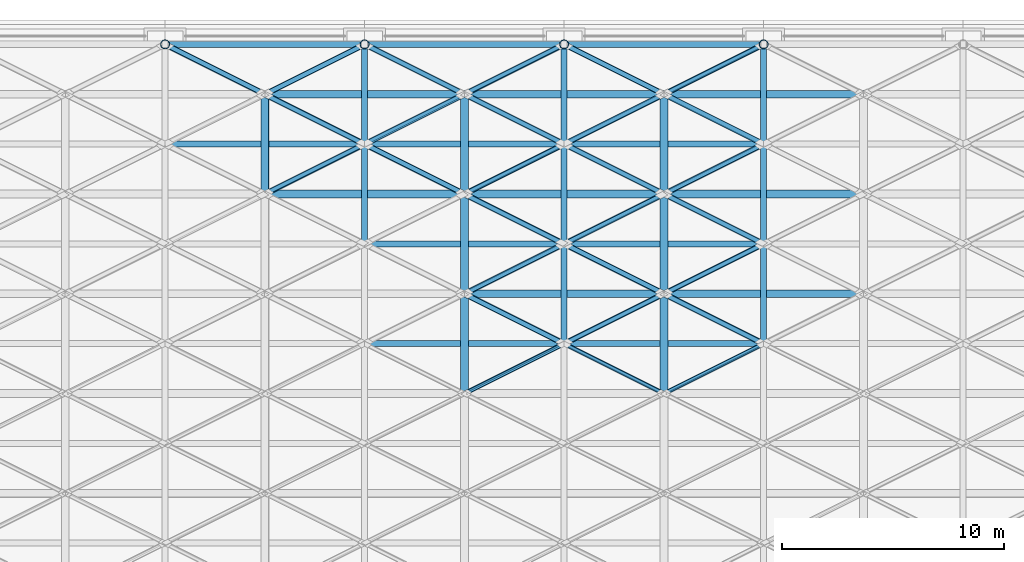
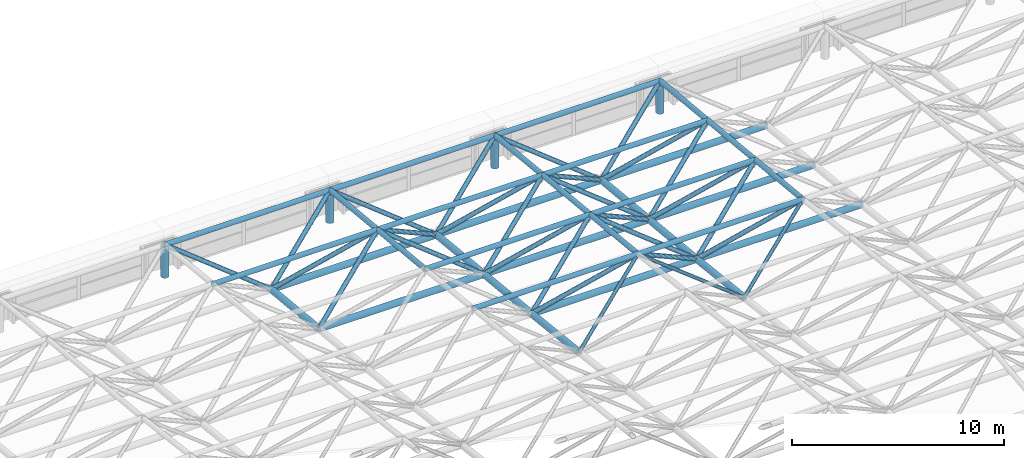
# One storey, part 11 of 53: 65 members.
"""IFC4 building model written with IfcOpenShell, lengths in metres."""

from ifc_helpers import new_model, si_unit, direction, frame, origin, origin_2d, place, context, subcontext, project, spatial, hollow_circle, extrude, material, material_profile, profile_set, type_object, element, save


model = new_model("IFC4")

# Units and contexts
model_context = context("Model", 3, precision=1e-05, world=origin(), true_north=direction((0.0, 1.0)))
body_context = subcontext(model_context, "Body", "Model", "MODEL_VIEW")
ifc_project = project(units=[si_unit("LENGTHUNIT", "METRE"), si_unit("AREAUNIT", "SQUARE_METRE"), si_unit("VOLUMEUNIT", "CUBIC_METRE"), si_unit("PLANEANGLEUNIT", "RADIAN"), si_unit("MASSUNIT", "GRAM", prefix="KILO")], contexts=[model_context])

# Site, building, storey
site_placement = place(None, origin())
site = spatial("IfcSite", under=ifc_project, at=site_placement, CompositionType="ELEMENT")
building_placement = place(site_placement, origin())
building = spatial("IfcBuilding", under=site, at=building_placement, Name="Aravalli Gate Trade Fair Centre", CompositionType="ELEMENT")
storey_placement = place(building_placement, frame((0.0, 0.0, 25.199951171875)))
storey = spatial("IfcBuildingStorey", under=building, at=storey_placement, Name="ROOF LEVEL 2", CompositionType="ELEMENT", Elevation=25.199951171875)

# Members
ifc_material = material(Name="Steel E350", Category="steel")
ifc_material_profile_1 = material_profile(ifc_material, hollow_circle(Radius=0.096923828125, WallThickness=0.00634765625, at=origin_2d()), Name="CHS 193.7x6.3")
ifc_profile_set_1 = profile_set([ifc_material_profile_1], Name="Steel E350")
member_type_1 = type_object("IfcMemberType", Name="CHS 193.7x6.3", PredefinedType="BRACE", material=ifc_profile_set_1)
for number, where, z_axis, x_axis, name in (
    (1, (60.0, 95.5, 3.150146484375), (0.786469857322, -0.393234928661, -0.476268258867), (0.4472135955, 0.894427191, 0.0), "Space frame web diagonal D5C"),
    (2, (60.0, 95.5, 3.150146484375), (-0.786469857322, -0.393234928661, -0.476268258867), (0.4472135955, -0.894427191, 0.0), "Space frame web diagonal D5D"),
    (3, (69.0, 95.5, 3.150146484375), (-0.786469857322, -0.393234928661, -0.476268258867), (0.4472135955, -0.894427191, 0.0), "Space frame web diagonal D5D"),
):
    element("IfcMember", number, at=place(storey_placement, frame(where, z_axis=z_axis, x_axis=x_axis)), inside=storey, type_object=member_type_1, Name=name, PredefinedType="BRACE", context=body_context, shape_type="SweptSolid", body=[
        extrude(hollow_circle(Radius=0.096923828125, WallThickness=0.00634765625, at=origin_2d()), origin(), (0.0, 0.0, 1.0), 5.7216796875),
    ])
ifc_material_profile_2 = material_profile(ifc_material, hollow_circle(Radius=0.122314453125, WallThickness=0.008056640625, at=origin_2d()), Name="CHS 244.5x8")
ifc_profile_set_2 = profile_set([ifc_material_profile_2], Name="Steel E350")
member_type_2 = type_object("IfcMemberType", Name="CHS 244.5x8", PredefinedType="BRACE", material=ifc_profile_set_2)
for number, where, z_axis, x_axis, name in (
    (4, (60.0, 95.5, 3.150146484375), (0.752999619823, 0.376499809912, -0.539666068678), (-0.4472135955, 0.894427191, 0.0), "Space frame web diagonal D6A"),
    (5, (60.0, 100.0, 2.699951171875), (0.753016221047, 0.376508110523, -0.539637112837), (-0.4472135955, 0.894427191, 0.0), "Space frame web diagonal D6A"),
    (6, (51.0, 104.5, 2.25), (0.753016221047, 0.376508110523, -0.539637112837), (-0.4472135955, 0.894427191, 0.0), "Space frame web diagonal D6A"),
    (7, (60.0, 104.5, 2.25), (0.753016221047, 0.376508110523, -0.539637112837), (-0.4472135955, 0.894427191, 0.0), "Space frame web diagonal D6A"),
    (8, (60.0, 95.5, 3.150146484375), (-0.752999619823, 0.376499809912, -0.539666068678), (-0.4472135955, -0.894427191, 0.0), "Space frame web diagonal D6B"),
    (9, (69.0, 95.5, 3.150146484375), (-0.752999619823, 0.376499809912, -0.539666068678), (-0.4472135955, -0.894427191, 0.0), "Space frame web diagonal D6B"),
    (10, (60.0, 100.0, 2.699951171875), (-0.753016221047, 0.376508110523, -0.539637112837), (-0.4472135955, -0.894427191, 0.0), "Space frame web diagonal D6B"),
    (11, (69.0, 100.0, 2.699951171875), (-0.753016221047, 0.376508110523, -0.539637112837), (-0.4472135955, -0.894427191, 0.0), "Space frame web diagonal D6B"),
    (12, (51.0, 104.5, 2.25), (-0.753016221047, 0.376508110523, -0.539637112837), (-0.4472135955, -0.894427191, 0.0), "Space frame web diagonal D6B"),
    (13, (60.0, 104.5, 2.25), (-0.753016221047, 0.376508110523, -0.539637112837), (-0.4472135955, -0.894427191, 0.0), "Space frame web diagonal D6B"),
    (14, (69.0, 104.5, 2.25), (-0.753016221047, 0.376508110523, -0.539637112837), (-0.4472135955, -0.894427191, 0.0), "Space frame web diagonal D6B"),
):
    element("IfcMember", number, at=place(storey_placement, frame(where, z_axis=z_axis, x_axis=x_axis)), inside=storey, type_object=member_type_2, Name=name, PredefinedType="BRACE", context=body_context, shape_type="SweptSolid", body=[
        extrude(hollow_circle(Radius=0.122314453125, WallThickness=0.008056640625, at=origin_2d()), origin(), (0.0, 0.0, 1.0), 5.97607421875),
    ])
for number, where, z_axis, x_axis, name in (
    (15, (60.0, 100.0, 2.699951171875), (0.783200147531, -0.391600073766, -0.48295642778), (0.4472135955, 0.894427191, 0.0), "Space frame web diagonal D6C"),
    (16, (51.0, 104.5, 2.25), (0.783200147531, -0.391600073766, -0.48295642778), (0.4472135955, 0.894427191, 0.0), "Space frame web diagonal D6C"),
    (17, (60.0, 104.5, 2.25), (0.783200147531, -0.391600073766, -0.48295642778), (0.4472135955, 0.894427191, 0.0), "Space frame web diagonal D6C"),
    (18, (42.0, 109.0, 1.800048828125), (0.783200147531, -0.391600073766, -0.48295642778), (0.4472135955, 0.894427191, 0.0), "Space frame web diagonal D6C"),
    (19, (51.0, 109.0, 1.800048828125), (0.783200147531, -0.391600073766, -0.48295642778), (0.4472135955, 0.894427191, 0.0), "Space frame web diagonal D6C"),
    (20, (60.0, 109.0, 1.800048828125), (0.783200147531, -0.391600073766, -0.48295642778), (0.4472135955, 0.894427191, 0.0), "Space frame web diagonal D6C"),
    (21, (60.0, 100.0, 2.699951171875), (-0.783200147531, -0.391600073766, -0.48295642778), (0.4472135955, -0.894427191, 0.0), "Space frame web diagonal D6D"),
    (22, (69.0, 100.0, 2.699951171875), (-0.783200147531, -0.391600073766, -0.48295642778), (0.4472135955, -0.894427191, 0.0), "Space frame web diagonal D6D"),
    (23, (51.0, 104.5, 2.25), (-0.783200147531, -0.391600073766, -0.48295642778), (0.4472135955, -0.894427191, 0.0), "Space frame web diagonal D6D"),
    (24, (60.0, 104.5, 2.25), (-0.783200147531, -0.391600073766, -0.48295642778), (0.4472135955, -0.894427191, 0.0), "Space frame web diagonal D6D"),
    (25, (69.0, 104.5, 2.25), (-0.783200147531, -0.391600073766, -0.48295642778), (0.4472135955, -0.894427191, 0.0), "Space frame web diagonal D6D"),
    (26, (51.0, 109.0, 1.800048828125), (-0.783200147531, -0.391600073766, -0.48295642778), (0.4472135955, -0.894427191, 0.0), "Space frame web diagonal D6D"),
    (27, (60.0, 109.0, 1.800048828125), (-0.783200147531, -0.391600073766, -0.48295642778), (0.4472135955, -0.894427191, 0.0), "Space frame web diagonal D6D"),
    (28, (69.0, 109.0, 1.800048828125), (-0.783200147531, -0.391600073766, -0.48295642778), (0.4472135955, -0.894427191, 0.0), "Space frame web diagonal D6D"),
):
    element("IfcMember", number, at=place(storey_placement, frame(where, z_axis=z_axis, x_axis=x_axis)), inside=storey, type_object=member_type_2, Name=name, PredefinedType="BRACE", context=body_context, shape_type="SweptSolid", body=[
        extrude(hollow_circle(Radius=0.122314453125, WallThickness=0.008056640625, at=origin_2d()), origin(), (0.0, 0.0, 1.0), 5.74560546875),
    ])
ifc_material_profile_3 = material_profile(ifc_material, hollow_circle(Radius=0.136474609375, WallThickness=0.010009765625, at=origin_2d()), Name="CHS 273.1x10")
ifc_profile_set_3 = profile_set([ifc_material_profile_3], Name="Steel E350")
member_type_3 = type_object("IfcMemberType", Name="CHS 273.1x10", PredefinedType="CHORD", material=ifc_profile_set_3)
for number, where, z_axis, x_axis, name in (
    (29, (51.0, 95.5, 3.150146484375), (1.0, 0.0, 0.0), (0.0, 1.0, 0.0), "Space frame top chord along the lines T6"),
    (30, (60.0, 95.5, 3.150146484375), (1.0, 0.0, 0.0), (0.0, 1.0, 0.0), "Space frame top chord along the lines T6"),
    (31, (51.0, 100.0, 2.699951171875), (1.0, 0.0, 0.0), (0.0, 1.0, 0.0), "Space frame top chord along the lines T7"),
    (32, (60.0, 100.0, 2.699951171875), (1.0, 0.0, 0.0), (0.0, 1.0, 0.0), "Space frame top chord along the lines T7"),
    (33, (42.0, 104.5, 2.25), (1.0, 0.0, 0.0), (0.0, 1.0, 0.0), "Space frame top chord along the lines T7"),
    (34, (51.0, 104.5, 2.25), (1.0, 0.0, 0.0), (0.0, 1.0, 0.0), "Space frame top chord along the lines T7"),
    (35, (60.0, 104.5, 2.25), (1.0, 0.0, 0.0), (0.0, 1.0, 0.0), "Space frame top chord along the lines T7"),
):
    element("IfcMember", number, at=place(storey_placement, frame(where, z_axis=z_axis, x_axis=x_axis)), inside=storey, type_object=member_type_3, Name=name, PredefinedType="CHORD", context=body_context, shape_type="SweptSolid", body=[
        extrude(hollow_circle(Radius=0.136474609375, WallThickness=0.010009765625, at=origin_2d()), origin(), (0.0, 0.0, 1.0), 9.0),
    ])
for number, where, z_axis, x_axis, name in (
    (36, (51.0, 100.0, 2.699951171875), (0.0, 0.995038259148, -0.099493029059), (-1.0, 0.0, 0.0), "Space frame top chord across the vault Y6"),
    (37, (51.0, 104.5, 2.25), (0.0, 0.995038259148, -0.099493029059), (-1.0, 0.0, 0.0), "Space frame top chord across the vault Y6"),
    (38, (60.0, 95.5, 3.150146484375), (0.0, 0.995032913332, -0.099546478526), (-1.0, 0.0, 0.0), "Space frame top chord across the vault Y6"),
    (39, (60.0, 100.0, 2.699951171875), (0.0, 0.995038259148, -0.099493029059), (-1.0, 0.0, 0.0), "Space frame top chord across the vault Y6"),
    (40, (60.0, 104.5, 2.25), (0.0, 0.995038259148, -0.099493029059), (-1.0, 0.0, 0.0), "Space frame top chord across the vault Y6"),
    (41, (69.0, 95.5, 3.150146484375), (0.0, 0.995032913332, -0.099546478526), (-1.0, 0.0, 0.0), "Space frame top chord across the vault Y6"),
    (42, (69.0, 100.0, 2.699951171875), (0.0, 0.995038259148, -0.099493029059), (-1.0, 0.0, 0.0), "Space frame top chord across the vault Y6"),
    (43, (69.0, 104.5, 2.25), (0.0, 0.995038259148, -0.099493029059), (-1.0, 0.0, 0.0), "Space frame top chord across the vault Y6"),
):
    element("IfcMember", number, at=place(storey_placement, frame(where, z_axis=z_axis, x_axis=x_axis)), inside=storey, type_object=member_type_3, Name=name, PredefinedType="CHORD", context=body_context, shape_type="SweptSolid", body=[
        extrude(hollow_circle(Radius=0.136474609375, WallThickness=0.010009765625, at=origin_2d()), origin(), (0.0, 0.0, 1.0), 4.5224609375),
    ])
ifc_material_profile_4 = material_profile(ifc_material, hollow_circle(Radius=0.136474609375, WallThickness=0.01611328125, at=origin_2d()), Name="CHS 273.1x16")
ifc_profile_set_4 = profile_set([ifc_material_profile_4], Name="Steel E350")
member_type_4 = type_object("IfcMemberType", Name="CHS 273.1x16", PredefinedType="CHORD", material=ifc_profile_set_4)
for number, where, z_axis, x_axis, name in (
    (44, (42.0, 109.0, 1.800048828125), (1.0, 0.0, 0.0), (0.0, 1.0, 0.0), "Space frame top chord along the lines TE2"),
    (45, (51.0, 109.0, 1.800048828125), (1.0, 0.0, 0.0), (0.0, 1.0, 0.0), "Space frame top chord along the lines TE2"),
    (46, (60.0, 109.0, 1.800048828125), (1.0, 0.0, 0.0), (0.0, 1.0, 0.0), "Space frame top chord along the lines TE2"),
):
    element("IfcMember", number, at=place(storey_placement, frame(where, z_axis=z_axis, x_axis=x_axis)), inside=storey, type_object=member_type_4, Name=name, PredefinedType="CHORD", context=body_context, shape_type="SweptSolid", body=[
        extrude(hollow_circle(Radius=0.136474609375, WallThickness=0.01611328125, at=origin_2d()), origin(), (0.0, 0.0, 1.0), 9.0),
    ])
ifc_material_profile_5 = material_profile(ifc_material, hollow_circle(Radius=0.177734375, WallThickness=0.010009765625, at=origin_2d()), Name="CHS 355.6x10")
ifc_profile_set_5 = profile_set([ifc_material_profile_5], Name="Steel E350")
member_type_5 = type_object("IfcMemberType", Name="CHS 355.6x10", PredefinedType="CHORD", material=ifc_profile_set_5)
for number, where, z_axis, x_axis, name in (
    (47, (55.5, 97.75, -0.074951171875), (1.0, 0.0, 0.0), (0.0, 1.0, 0.0), "Space frame bottom chord along the lines B6"),
    (48, (64.5, 97.75, -0.074951171875), (1.0, 0.0, 0.0), (0.0, 1.0, 0.0), "Space frame bottom chord along the lines B6"),
    (49, (46.5, 102.25, -0.52490234375), (1.0, 0.0, 0.0), (0.0, 1.0, 0.0), "Space frame bottom chord along the lines B6"),
    (50, (55.5, 102.25, -0.52490234375), (1.0, 0.0, 0.0), (0.0, 1.0, 0.0), "Space frame bottom chord along the lines B6"),
    (51, (64.5, 102.25, -0.52490234375), (1.0, 0.0, 0.0), (0.0, 1.0, 0.0), "Space frame bottom chord along the lines B6"),
):
    element("IfcMember", number, at=place(storey_placement, frame(where, z_axis=z_axis, x_axis=x_axis)), inside=storey, type_object=member_type_5, Name=name, PredefinedType="CHORD", context=body_context, shape_type="SweptSolid", body=[
        extrude(hollow_circle(Radius=0.177734375, WallThickness=0.010009765625, at=origin_2d()), origin(), (0.0, 0.0, 1.0), 9.0),
    ])
for number, where, z_axis, x_axis, name in (
    (52, (55.5, 93.25, 0.425048828125), (0.0, 0.993883734674, -0.110431526075), (-1.0, 0.0, 0.0), "Space frame bottom chord across the vault C10"),
    (53, (64.5, 93.25, 0.425048828125), (0.0, 0.993883734674, -0.110431526075), (-1.0, 0.0, 0.0), "Space frame bottom chord across the vault C10"),
):
    element("IfcMember", number, at=place(storey_placement, frame(where, z_axis=z_axis, x_axis=x_axis)), inside=storey, type_object=member_type_5, Name=name, PredefinedType="CHORD", context=body_context, shape_type="SweptSolid", body=[
        extrude(hollow_circle(Radius=0.177734375, WallThickness=0.010009765625, at=origin_2d()), origin(), (0.0, 0.0, 1.0), 4.527587890625),
    ])
for number, where, z_axis, x_axis, name in (
    (54, (46.5, 102.25, -0.52490234375), (0.0, 0.995038259148, -0.099493029059), (-1.0, 0.0, 0.0), "Space frame bottom chord across the vault C11"),
    (55, (55.5, 97.75, -0.074951171875), (0.0, 0.995038259148, -0.099493029059), (-1.0, 0.0, 0.0), "Space frame bottom chord across the vault C11"),
    (56, (55.5, 102.25, -0.52490234375), (0.0, 0.995038259148, -0.099493029059), (-1.0, 0.0, 0.0), "Space frame bottom chord across the vault C11"),
    (57, (64.5, 97.75, -0.074951171875), (0.0, 0.995038259148, -0.099493029059), (-1.0, 0.0, 0.0), "Space frame bottom chord across the vault C11"),
    (58, (64.5, 102.25, -0.52490234375), (0.0, 0.995038259148, -0.099493029059), (-1.0, 0.0, 0.0), "Space frame bottom chord across the vault C11"),
):
    element("IfcMember", number, at=place(storey_placement, frame(where, z_axis=z_axis, x_axis=x_axis)), inside=storey, type_object=member_type_5, Name=name, PredefinedType="CHORD", context=body_context, shape_type="SweptSolid", body=[
        extrude(hollow_circle(Radius=0.177734375, WallThickness=0.010009765625, at=origin_2d()), origin(), (0.0, 0.0, 1.0), 4.5224609375),
    ])
ifc_material_profile_6 = material_profile(ifc_material, hollow_circle(Radius=0.177734375, WallThickness=0.01611328125, at=origin_2d()), Name="CHS 355.6x16")
ifc_profile_set_6 = profile_set([ifc_material_profile_6], Name="Steel E350")
member_type_6 = type_object("IfcMemberType", Name="CHS 355.6x16", PredefinedType="CHORD", material=ifc_profile_set_6)
for number, where, z_axis, x_axis, name in (
    (59, (46.5, 106.75, -0.974853515625), (1.0, 0.0, 0.0), (0.0, 1.0, 0.0), "Space frame bottom chord along the lines BE2"),
    (60, (55.5, 106.75, -0.974853515625), (1.0, 0.0, 0.0), (0.0, 1.0, 0.0), "Space frame bottom chord along the lines BE2"),
    (61, (64.5, 106.75, -0.974853515625), (1.0, 0.0, 0.0), (0.0, 1.0, 0.0), "Space frame bottom chord along the lines BE2"),
):
    element("IfcMember", number, at=place(storey_placement, frame(where, z_axis=z_axis, x_axis=x_axis)), inside=storey, type_object=member_type_6, Name=name, PredefinedType="CHORD", context=body_context, shape_type="SweptSolid", body=[
        extrude(hollow_circle(Radius=0.177734375, WallThickness=0.01611328125, at=origin_2d()), origin(), (0.0, 0.0, 1.0), 9.0),
    ])
ifc_material_profile_7 = material_profile(ifc_material, hollow_circle(Radius=0.203125, WallThickness=0.01611328125, at=origin_2d()), Name="CHS 406.4x16")
ifc_profile_set_7 = profile_set([ifc_material_profile_7], Name="Steel E350")
member_type_7 = type_object("IfcMemberType", Name="CHS 406.4x16", PredefinedType="POST", material=ifc_profile_set_7)
for number, where, z_axis, x_axis, name in (
    (62, (42.0, 109.0, 0.0), (0.0, 0.0, 1.0), (1.0, 0.0, 0.0), "Space frame bearing post P1"),
    (63, (51.0, 109.0, 0.0), (0.0, 0.0, 1.0), (1.0, 0.0, 0.0), "Space frame bearing post P1"),
    (64, (60.0, 109.0, 0.0), (0.0, 0.0, 1.0), (1.0, 0.0, 0.0), "Space frame bearing post P1"),
    (65, (69.0, 109.0, 0.0), (0.0, 0.0, 1.0), (1.0, 0.0, 0.0), "Space frame bearing post P1"),
):
    element("IfcMember", number, at=place(storey_placement, frame(where, z_axis=z_axis, x_axis=x_axis)), inside=storey, type_object=member_type_7, Name=name, PredefinedType="POST", context=body_context, shape_type="SweptSolid", body=[
        extrude(hollow_circle(Radius=0.203125, WallThickness=0.01611328125, at=origin_2d()), origin(), (0.0, 0.0, 1.0), 1.800048828125),
    ])

save(model, "model.ifc")
